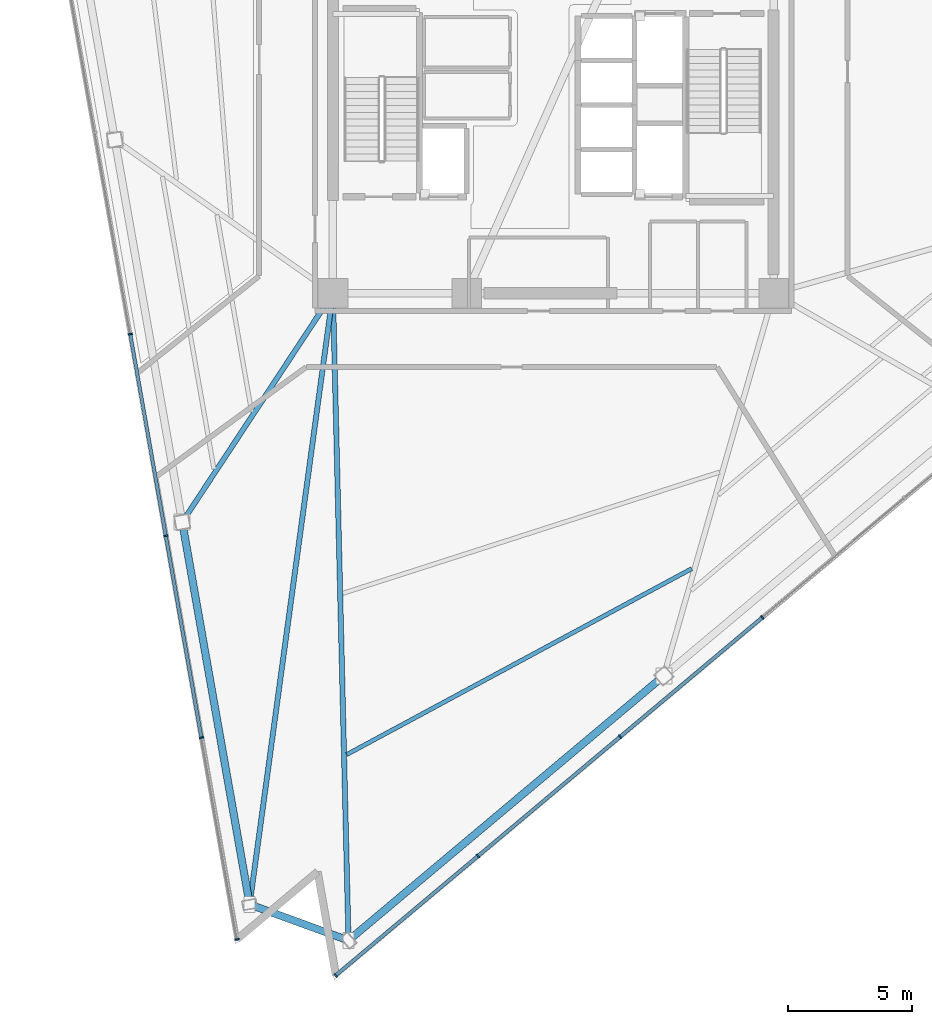
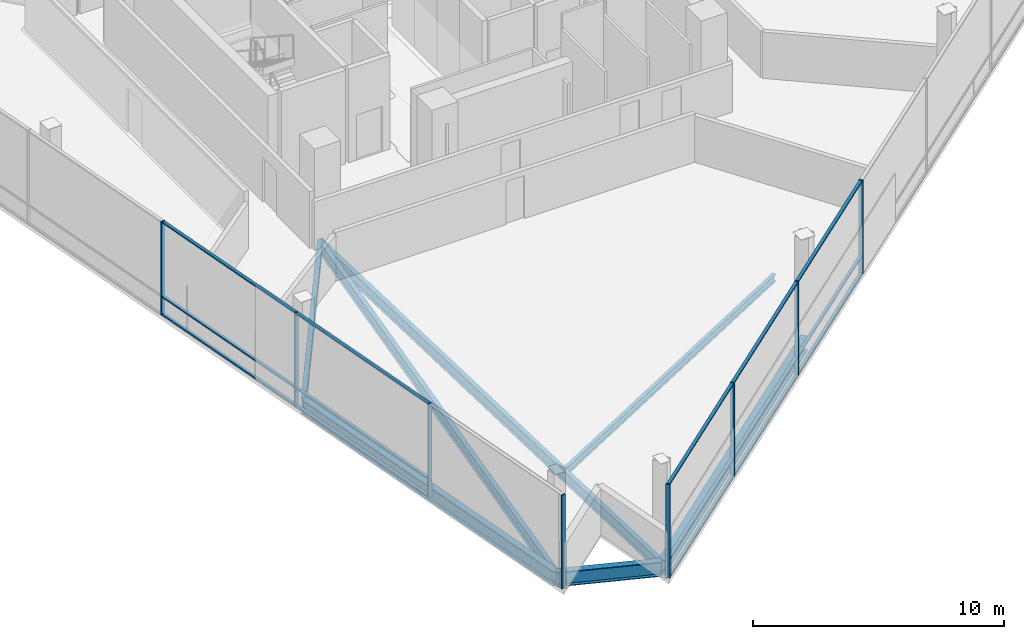
# One storey, part 2 of 15: 23 members, 7 beams, 2 elements without a shape of their own.
"""IFC4 building model written with IfcOpenShell, lengths in metres."""

from ifc_helpers import new_model, si_unit, direction, frame, origin, origin_2d, place, context, subcontext, project, spatial, rectangle, i_section, extrude, material, layer, layer_set, material_profile, profile_set, type_object, element, aggregate, save


model = new_model("IFC4")

# Units and contexts
model_context = context("Model", 3, precision=1e-05, world=origin(), true_north=direction((0.0, 1.0)))
body_context = subcontext(model_context, "Body", "Model", "MODEL_VIEW")
ifc_project = project(units=[si_unit("LENGTHUNIT", "METRE"), si_unit("AREAUNIT", "SQUARE_METRE"), si_unit("VOLUMEUNIT", "CUBIC_METRE"), si_unit("PLANEANGLEUNIT", "RADIAN"), si_unit("MASSUNIT", "GRAM", prefix="KILO")], contexts=[model_context])

# Site, building, storey
site_placement = place(None, origin())
site = spatial("IfcSite", under=ifc_project, at=site_placement, CompositionType="ELEMENT")
building_placement = place(site_placement, origin())
building = spatial("IfcBuilding", under=site, at=building_placement, Name="Tharavind Bronze Gate", CompositionType="ELEMENT")
storey_placement = place(building_placement, frame((0.0, 0.0, 192.10009765625)))
storey = spatial("IfcBuildingStorey", under=building, at=storey_placement, Name="L49", CompositionType="ELEMENT", Elevation=192.10009765625)

# Curtain wall, members
ifc_material_1 = material(Name="Anodised Bronze Aluminium", Category="aluminium")
ifc_layer = layer(ifc_material_1, 0.219970703125)
ifc_layer_set = layer_set([ifc_layer], Name="Anodised Bronze Aluminium")
curtain_wall_type = type_object("IfcCurtainWallType", Name="UNITISED CURTAIN WALL MID OFFICE", PredefinedType="USERDEFINED", material=ifc_layer_set)
curtain_wall_1_placement = place(storey_placement, origin())
curtain_wall_1 = element("IfcCurtainWall", 1, at=curtain_wall_1_placement, inside=storey, type_object=curtain_wall_type, Name="L49 unitised curtain wall mid office CW-L49-S1", ObjectType="UNITISED CURTAIN WALL", PredefinedType="USERDEFINED")
member_type_1 = type_object("IfcMemberType", Name="CURTAIN WALL BRONZE MULLION 65X180", PredefinedType="MULLION", material=ifc_material_1)
member_1_placement = place(storey_placement, frame((-17.086669921875, -9.250732421875, -0.000244140625), z_axis=(0.0, 0.0, 1.0), x_axis=(0.173648177667, -0.984807753012, 0.0)))
member_1 = element("IfcMember", 2, at=member_1_placement, type_object=member_type_1, Name="CW-L49-S1 mullion 4", PredefinedType="MULLION", context=body_context, shape_type="SweptSolid", body=[
    extrude(rectangle(XDim=0.06494140625, YDim=0.179931640625, at=origin_2d()), origin(), (0.0, 0.0, 1.0), 4.56005859375),
])
member_2_placement = place(storey_placement, frame((-15.650146484375, -17.3984375, -0.000244140625), z_axis=(0.0, 0.0, 1.0), x_axis=(0.173648177667, -0.984807753012, 0.0)))
member_2 = element("IfcMember", 3, at=member_2_placement, type_object=member_type_1, Name="CW-L49-S1 mullion 5", PredefinedType="MULLION", context=body_context, shape_type="SweptSolid", body=[
    extrude(rectangle(XDim=0.06494140625, YDim=0.179931640625, at=origin_2d()), origin(), (0.0, 0.0, 1.0), 4.56005859375),
])
member_3_placement = place(storey_placement, frame((-14.21337890625, -25.546142578125, -0.000244140625), z_axis=(0.0, 0.0, 1.0), x_axis=(0.173648177667, -0.984807753012, 0.0)))
member_3 = element("IfcMember", 4, at=member_3_placement, type_object=member_type_1, Name="CW-L49-S1 mullion 6", PredefinedType="MULLION", context=body_context, shape_type="SweptSolid", body=[
    extrude(rectangle(XDim=0.06494140625, YDim=0.179931640625, at=origin_2d()), origin(), (0.0, 0.0, 1.0), 4.56005859375),
])
member_4_placement = place(storey_placement, frame((-12.77685546875, -33.69384765625, -0.000244140625), z_axis=(0.0, 0.0, 1.0), x_axis=(0.173648177667, -0.984807753012, 0.0)))
member_4 = element("IfcMember", 5, at=member_4_placement, type_object=member_type_1, Name="CW-L49-S1 mullion 7", PredefinedType="MULLION", context=body_context, shape_type="SweptSolid", body=[
    extrude(rectangle(XDim=0.06494140625, YDim=0.179931640625, at=origin_2d()), origin(), (0.0, 0.0, 1.0), 4.56005859375),
])

curtain_wall_2_placement = place(storey_placement, origin())
curtain_wall_2 = element("IfcCurtainWall", 6, at=curtain_wall_2_placement, inside=storey, type_object=curtain_wall_type, Name="L49 unitised curtain wall mid office CW-L49-S2", ObjectType="UNITISED CURTAIN WALL", PredefinedType="USERDEFINED")
member_5_placement = place(storey_placement, frame((-8.784912109375, -35.146728515625, -0.000244140625), z_axis=(0.0, 0.0, 1.0), x_axis=(0.766043321242, 0.642788946685, 0.0)))
member_5 = element("IfcMember", 7, at=member_5_placement, type_object=member_type_1, Name="CW-L49-S2 mullion 1", PredefinedType="MULLION", context=body_context, shape_type="SweptSolid", body=[
    extrude(rectangle(XDim=0.06494140625, YDim=0.179931640625, at=origin_2d()), origin(), (0.0, 0.0, 1.0), 4.56005859375),
])
member_6_placement = place(storey_placement, frame((-3.042724609375, -30.328369140625, -0.000244140625), z_axis=(0.0, 0.0, 1.0), x_axis=(0.766043321242, 0.642788946685, 0.0)))
member_6 = element("IfcMember", 8, at=member_6_placement, type_object=member_type_1, Name="CW-L49-S2 mullion 2", PredefinedType="MULLION", context=body_context, shape_type="SweptSolid", body=[
    extrude(rectangle(XDim=0.06494140625, YDim=0.179931640625, at=origin_2d()), origin(), (0.0, 0.0, 1.0), 4.56005859375),
])
member_7_placement = place(storey_placement, frame((2.69970703125, -25.510009765625, -0.000244140625), z_axis=(0.0, 0.0, 1.0), x_axis=(0.766043321242, 0.642788946685, 0.0)))
member_7 = element("IfcMember", 9, at=member_7_placement, type_object=member_type_1, Name="CW-L49-S2 mullion 3", PredefinedType="MULLION", context=body_context, shape_type="SweptSolid", body=[
    extrude(rectangle(XDim=0.06494140625, YDim=0.179931640625, at=origin_2d()), origin(), (0.0, 0.0, 1.0), 4.56005859375),
])
member_8_placement = place(storey_placement, frame((8.44189453125, -20.691650390625, -0.000244140625), z_axis=(0.0, 0.0, 1.0), x_axis=(0.766043321242, 0.642788946685, 0.0)))
member_8 = element("IfcMember", 10, at=member_8_placement, type_object=member_type_1, Name="CW-L49-S2 mullion 4", PredefinedType="MULLION", context=body_context, shape_type="SweptSolid", body=[
    extrude(rectangle(XDim=0.06494140625, YDim=0.179931640625, at=origin_2d()), origin(), (0.0, 0.0, 1.0), 4.56005859375),
])

# Member
member_type_2 = type_object("IfcMemberType", Name="CURTAIN WALL BRONZE TRANSOM 65X140", PredefinedType="USERDEFINED", material=ifc_material_1)
member_9_placement = place(storey_placement, frame((-16.368408203125, -13.32470703125, 0.0), z_axis=(0.0, 0.0, 1.0), x_axis=(0.173648177667, -0.984807753012, 0.0)))
member_9 = element("IfcMember", 11, at=member_9_placement, type_object=member_type_2, Name="CW-L49-S1 transom TB4", ObjectType="TRANSOM", PredefinedType="USERDEFINED", context=body_context, shape_type="SweptSolid", body=[
    extrude(rectangle(XDim=8.220458984375, YDim=0.139892578125, at=origin_2d()), origin(), (0.0, 0.0, 1.0), 0.06494140625),
])

member_10_placement = place(storey_placement, frame((-16.368408203125, -13.32470703125, 0.867431640625), z_axis=(0.0, 0.0, 1.0), x_axis=(0.173648177667, -0.984807753012, 0.0)))
member_10 = element("IfcMember", 12, at=member_10_placement, type_object=member_type_2, Name="CW-L49-S1 transom TS4", ObjectType="TRANSOM", PredefinedType="USERDEFINED", context=body_context, shape_type="SweptSolid", body=[
    extrude(rectangle(XDim=8.220458984375, YDim=0.139892578125, at=origin_2d()), origin(), (0.0, 0.0, 1.0), 0.06494140625),
])

member_11_placement = place(storey_placement, frame((-16.368408203125, -13.32470703125, 4.494873046875), z_axis=(0.0, 0.0, 1.0), x_axis=(0.173648177667, -0.984807753012, 0.0)))
member_11 = element("IfcMember", 13, at=member_11_placement, type_object=member_type_2, Name="CW-L49-S1 transom TT4", ObjectType="TRANSOM", PredefinedType="USERDEFINED", context=body_context, shape_type="SweptSolid", body=[
    extrude(rectangle(XDim=8.220458984375, YDim=0.139892578125, at=origin_2d()), origin(), (0.0, 0.0, 1.0), 0.06494140625),
])

member_12_placement = place(storey_placement, frame((-14.931884765625, -21.472412109375, 0.0), z_axis=(0.0, 0.0, 1.0), x_axis=(0.173648177667, -0.984807753012, 0.0)))
member_12 = element("IfcMember", 14, at=member_12_placement, type_object=member_type_2, Name="CW-L49-S1 transom TB5", ObjectType="TRANSOM", PredefinedType="USERDEFINED", context=body_context, shape_type="SweptSolid", body=[
    extrude(rectangle(XDim=8.220458984375, YDim=0.139892578125, at=origin_2d()), origin(), (0.0, 0.0, 1.0), 0.06494140625),
])

member_13_placement = place(storey_placement, frame((-14.931884765625, -21.472412109375, 0.867431640625), z_axis=(0.0, 0.0, 1.0), x_axis=(0.173648177667, -0.984807753012, 0.0)))
member_13 = element("IfcMember", 15, at=member_13_placement, type_object=member_type_2, Name="CW-L49-S1 transom TS5", ObjectType="TRANSOM", PredefinedType="USERDEFINED", context=body_context, shape_type="SweptSolid", body=[
    extrude(rectangle(XDim=8.220458984375, YDim=0.139892578125, at=origin_2d()), origin(), (0.0, 0.0, 1.0), 0.06494140625),
])

member_14_placement = place(storey_placement, frame((-14.931884765625, -21.472412109375, 4.494873046875), z_axis=(0.0, 0.0, 1.0), x_axis=(0.173648177667, -0.984807753012, 0.0)))
member_14 = element("IfcMember", 16, at=member_14_placement, type_object=member_type_2, Name="CW-L49-S1 transom TT5", ObjectType="TRANSOM", PredefinedType="USERDEFINED", context=body_context, shape_type="SweptSolid", body=[
    extrude(rectangle(XDim=8.220458984375, YDim=0.139892578125, at=origin_2d()), origin(), (0.0, 0.0, 1.0), 0.06494140625),
])

aggregate(curtain_wall_1, [member_1, member_2, member_3, member_4, member_9, member_10, member_11, member_12, member_13, member_14])

member_15_placement = place(storey_placement, frame((-5.913818359375, -32.737548828125, 0.0), z_axis=(0.0, 0.0, 1.0), x_axis=(0.766043321242, 0.642788946685, 0.0)))
member_15 = element("IfcMember", 17, at=member_15_placement, type_object=member_type_2, Name="CW-L49-S2 transom TB1", ObjectType="TRANSOM", PredefinedType="USERDEFINED", context=body_context, shape_type="SweptSolid", body=[
    extrude(rectangle(XDim=7.443115234375, YDim=0.139892578125, at=origin_2d()), origin(), (0.0, 0.0, 1.0), 0.06494140625),
])

member_16_placement = place(storey_placement, frame((-5.913818359375, -32.737548828125, 0.867431640625), z_axis=(0.0, 0.0, 1.0), x_axis=(0.766043321242, 0.642788946685, 0.0)))
member_16 = element("IfcMember", 18, at=member_16_placement, type_object=member_type_2, Name="CW-L49-S2 transom TS1", ObjectType="TRANSOM", PredefinedType="USERDEFINED", context=body_context, shape_type="SweptSolid", body=[
    extrude(rectangle(XDim=7.443115234375, YDim=0.139892578125, at=origin_2d()), origin(), (0.0, 0.0, 1.0), 0.06494140625),
])

member_17_placement = place(storey_placement, frame((-5.913818359375, -32.737548828125, 4.494873046875), z_axis=(0.0, 0.0, 1.0), x_axis=(0.766043321242, 0.642788946685, 0.0)))
member_17 = element("IfcMember", 19, at=member_17_placement, type_object=member_type_2, Name="CW-L49-S2 transom TT1", ObjectType="TRANSOM", PredefinedType="USERDEFINED", context=body_context, shape_type="SweptSolid", body=[
    extrude(rectangle(XDim=7.443115234375, YDim=0.139892578125, at=origin_2d()), origin(), (0.0, 0.0, 1.0), 0.06494140625),
])

member_18_placement = place(storey_placement, frame((-0.171630859375, -27.919189453125, 0.0), z_axis=(0.0, 0.0, 1.0), x_axis=(0.766043321242, 0.642788946685, 0.0)))
member_18 = element("IfcMember", 20, at=member_18_placement, type_object=member_type_2, Name="CW-L49-S2 transom TB2", ObjectType="TRANSOM", PredefinedType="USERDEFINED", context=body_context, shape_type="SweptSolid", body=[
    extrude(rectangle(XDim=7.443115234375, YDim=0.139892578125, at=origin_2d()), origin(), (0.0, 0.0, 1.0), 0.06494140625),
])

member_19_placement = place(storey_placement, frame((-0.171630859375, -27.919189453125, 0.867431640625), z_axis=(0.0, 0.0, 1.0), x_axis=(0.766043321242, 0.642788946685, 0.0)))
member_19 = element("IfcMember", 21, at=member_19_placement, type_object=member_type_2, Name="CW-L49-S2 transom TS2", ObjectType="TRANSOM", PredefinedType="USERDEFINED", context=body_context, shape_type="SweptSolid", body=[
    extrude(rectangle(XDim=7.443115234375, YDim=0.139892578125, at=origin_2d()), origin(), (0.0, 0.0, 1.0), 0.06494140625),
])

member_20_placement = place(storey_placement, frame((-0.171630859375, -27.919189453125, 4.494873046875), z_axis=(0.0, 0.0, 1.0), x_axis=(0.766043321242, 0.642788946685, 0.0)))
member_20 = element("IfcMember", 22, at=member_20_placement, type_object=member_type_2, Name="CW-L49-S2 transom TT2", ObjectType="TRANSOM", PredefinedType="USERDEFINED", context=body_context, shape_type="SweptSolid", body=[
    extrude(rectangle(XDim=7.443115234375, YDim=0.139892578125, at=origin_2d()), origin(), (0.0, 0.0, 1.0), 0.06494140625),
])

member_21_placement = place(storey_placement, frame((5.57080078125, -23.100830078125, 0.0), z_axis=(0.0, 0.0, 1.0), x_axis=(0.766043321242, 0.642788946685, 0.0)))
member_21 = element("IfcMember", 23, at=member_21_placement, type_object=member_type_2, Name="CW-L49-S2 transom TB3", ObjectType="TRANSOM", PredefinedType="USERDEFINED", context=body_context, shape_type="SweptSolid", body=[
    extrude(rectangle(XDim=7.443115234375, YDim=0.139892578125, at=origin_2d()), origin(), (0.0, 0.0, 1.0), 0.06494140625),
])

member_22_placement = place(storey_placement, frame((5.57080078125, -23.100830078125, 0.867431640625), z_axis=(0.0, 0.0, 1.0), x_axis=(0.766043321242, 0.642788946685, 0.0)))
member_22 = element("IfcMember", 24, at=member_22_placement, type_object=member_type_2, Name="CW-L49-S2 transom TS3", ObjectType="TRANSOM", PredefinedType="USERDEFINED", context=body_context, shape_type="SweptSolid", body=[
    extrude(rectangle(XDim=7.443115234375, YDim=0.139892578125, at=origin_2d()), origin(), (0.0, 0.0, 1.0), 0.06494140625),
])

member_23_placement = place(storey_placement, frame((5.57080078125, -23.100830078125, 4.494873046875), z_axis=(0.0, 0.0, 1.0), x_axis=(0.766043321242, 0.642788946685, 0.0)))
member_23 = element("IfcMember", 25, at=member_23_placement, type_object=member_type_2, Name="CW-L49-S2 transom TT3", ObjectType="TRANSOM", PredefinedType="USERDEFINED", context=body_context, shape_type="SweptSolid", body=[
    extrude(rectangle(XDim=7.443115234375, YDim=0.139892578125, at=origin_2d()), origin(), (0.0, 0.0, 1.0), 0.06494140625),
])

aggregate(curtain_wall_2, [member_5, member_6, member_7, member_8, member_15, member_16, member_17, member_18, member_19, member_20, member_21, member_22, member_23])

# Beams
ifc_material_2 = material(Name="Steel S355", Category="steel")
ifc_material_profile_1 = material_profile(ifc_material_2, i_section(OverallWidth=0.2099609375, OverallDepth=0.550048828125, WebThickness=0.010986328125, FlangeThickness=0.01708984375, at=origin_2d()), Name="IPE550")
ifc_profile_set_1 = profile_set([ifc_material_profile_1], Name="Steel S355")
beam_type_1 = type_object("IfcBeamType", Name="PRIMARY GIRDER IPE550", PredefinedType="USERDEFINED", material=ifc_profile_set_1)
beam_1_placement = place(storey_placement, frame((-14.98681640625, -16.841796875, -0.455078125), z_axis=(0.550048368659, 0.835132799102, 0.0), x_axis=(-0.835132799102, 0.550048368659, 0.0)))
element("IfcBeam", 26, at=beam_1_placement, inside=storey, type_object=beam_type_1, Name="L49 primary girder ipe550 BM-L49-RAD03", ObjectType="GIRDER", PredefinedType="USERDEFINED", context=body_context, shape_type="SweptSolid", body=[
    extrude(i_section(OverallWidth=0.2099609375, OverallDepth=0.550048828125, WebThickness=0.010986328125, FlangeThickness=0.01708984375, at=origin_2d()), origin(), (0.0, 0.0, 1.0), 11.066162109375),
])
beam_2_placement = place(storey_placement, frame((-12.263916015625, -32.2841796875, -0.455078125), z_axis=(0.135034486087, 0.99084089922, 0.0), x_axis=(-0.99084089922, 0.135034486087, 0.0)))
element("IfcBeam", 27, at=beam_2_placement, inside=storey, type_object=beam_type_1, Name="L49 primary girder ipe550 BM-L49-RAD04", ObjectType="GIRDER", PredefinedType="USERDEFINED", context=body_context, shape_type="SweptSolid", body=[
    extrude(i_section(OverallWidth=0.2099609375, OverallDepth=0.550048828125, WebThickness=0.010986328125, FlangeThickness=0.01708984375, at=origin_2d()), origin(), (0.0, 0.0, 1.0), 24.912353515625),
])
beam_3_placement = place(storey_placement, frame((-8.27197265625, -33.737060546875, -0.455078125), z_axis=(-0.024017654771, 0.999711534523, 0.0), x_axis=(-0.999711534523, -0.024017654771, 0.0)))
element("IfcBeam", 28, at=beam_3_placement, inside=storey, type_object=beam_type_1, Name="L49 primary girder ipe550 BM-L49-RAD05", ObjectType="GIRDER", PredefinedType="USERDEFINED", context=body_context, shape_type="SweptSolid", body=[
    extrude(i_section(OverallWidth=0.2099609375, OverallDepth=0.550048828125, WebThickness=0.010986328125, FlangeThickness=0.01708984375, at=origin_2d()), origin(), (0.0, 0.0, 1.0), 26.14453125),
])
ifc_material_profile_2 = material_profile(ifc_material_2, i_section(OverallWidth=0.300048828125, OverallDepth=0.699951171875, WebThickness=0.01708984375, FlangeThickness=0.031982421875, at=origin_2d()), Name="HE700B")
ifc_profile_set_2 = profile_set([ifc_material_profile_2], Name="Steel S355")
beam_type_2 = type_object("IfcBeamType", Name="RING GIRDER HE700B", PredefinedType="USERDEFINED", material=ifc_profile_set_2)
beam_4_placement = place(storey_placement, frame((-14.98681640625, -16.841796875, -0.530029296875), z_axis=(0.173647661488, -0.984807844028, 0.0), x_axis=(0.984807844028, 0.173647661488, 0.0)))
element("IfcBeam", 29, at=beam_4_placement, inside=storey, type_object=beam_type_2, Name="L49 ring girder he700b BM-L49-PRG03", ObjectType="GIRDER", PredefinedType="USERDEFINED", context=body_context, shape_type="SweptSolid", body=[
    extrude(i_section(OverallWidth=0.300048828125, OverallDepth=0.699951171875, WebThickness=0.01708984375, FlangeThickness=0.031982421875, at=origin_2d()), origin(), (0.0, 0.0, 1.0), 15.6806640625),
])
beam_5_placement = place(storey_placement, frame((-12.263916015625, -32.2841796875, -0.530029296875), z_axis=(0.939697742591, -0.342006070953, 0.0), x_axis=(0.342006070953, 0.939697742591, 0.0)))
element("IfcBeam", 30, at=beam_5_placement, inside=storey, type_object=beam_type_2, Name="L49 ring girder he700b BM-L49-PRG04", ObjectType="GIRDER", PredefinedType="USERDEFINED", context=body_context, shape_type="SweptSolid", body=[
    extrude(i_section(OverallWidth=0.300048828125, OverallDepth=0.699951171875, WebThickness=0.01708984375, FlangeThickness=0.031982421875, at=origin_2d()), origin(), (0.0, 0.0, 1.0), 4.248046875),
])
beam_6_placement = place(storey_placement, frame((-8.27197265625, -33.737060546875, -0.530029296875), z_axis=(0.766042947444, 0.642789392159, 0.0), x_axis=(-0.642789392159, 0.766042947444, 0.0)))
element("IfcBeam", 31, at=beam_6_placement, inside=storey, type_object=beam_type_2, Name="L49 ring girder he700b BM-L49-PRG05", ObjectType="GIRDER", PredefinedType="USERDEFINED", context=body_context, shape_type="SweptSolid", body=[
    extrude(i_section(OverallWidth=0.300048828125, OverallDepth=0.699951171875, WebThickness=0.01708984375, FlangeThickness=0.031982421875, at=origin_2d()), origin(), (0.0, 0.0, 1.0), 16.624755859375),
])
ifc_material_profile_3 = material_profile(ifc_material_2, i_section(OverallWidth=0.169921875, OverallDepth=0.360107421875, WebThickness=0.008056640625, FlangeThickness=0.0126953125, at=origin_2d()), Name="IPE360")
ifc_profile_set_3 = profile_set([ifc_material_profile_3], Name="Steel S355")
beam_type_3 = type_object("IfcBeamType", Name="SECONDARY FLOOR JOIST IPE360", PredefinedType="JOIST", material=ifc_profile_set_3)
beam_7_placement = place(storey_placement, frame((-8.34375, -26.230224609375, -0.360107421875), z_axis=(0.880319056921, 0.474382080207, 0.0), x_axis=(-0.474382080207, 0.880319056921, 0.0)))
element("IfcBeam", 32, at=beam_7_placement, inside=storey, type_object=beam_type_3, Name="L49 secondary floor joist ipe360 BM-L49-JSTB05", PredefinedType="JOIST", context=body_context, shape_type="SweptSolid", body=[
    extrude(i_section(OverallWidth=0.169921875, OverallDepth=0.360107421875, WebThickness=0.008056640625, FlangeThickness=0.0126953125, at=origin_2d()), origin(), (0.0, 0.0, 1.0), 15.833740234375),
])

save(model, "model.ifc")
